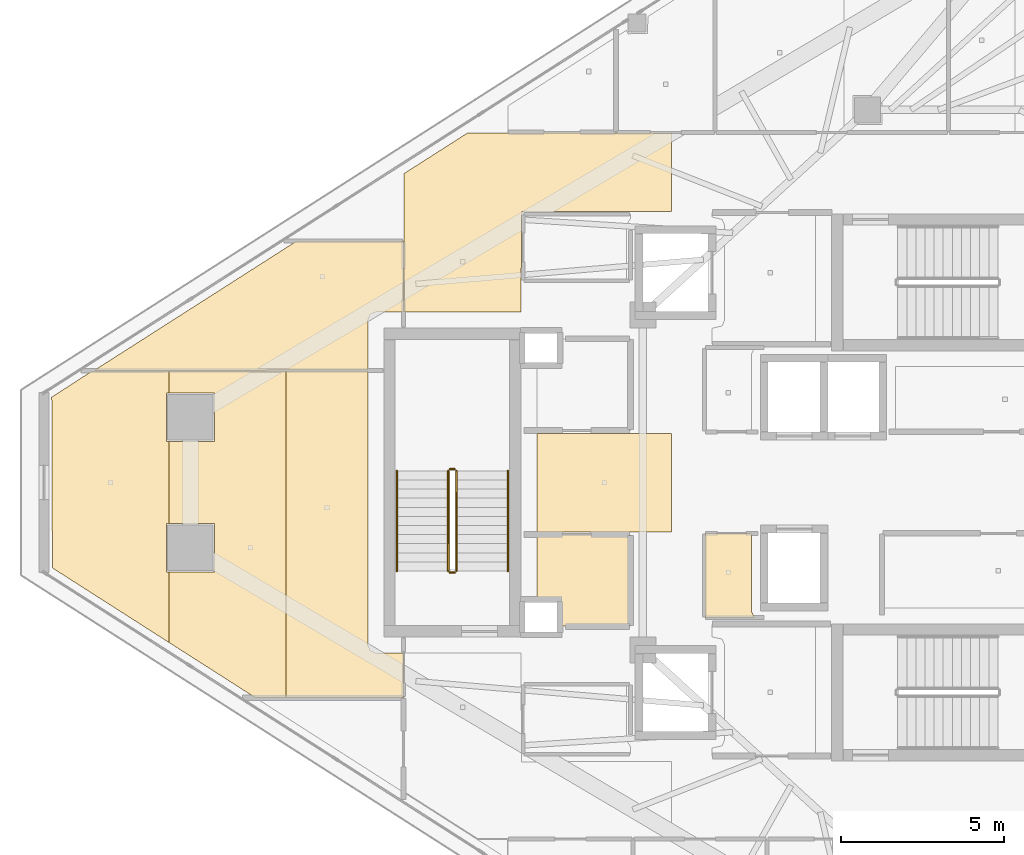
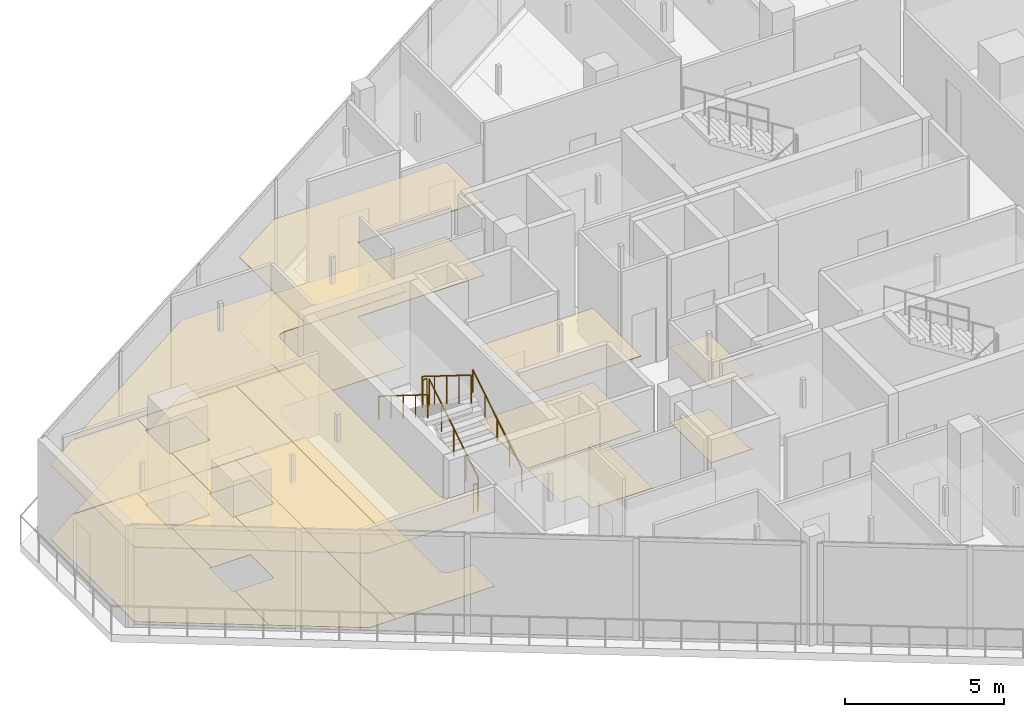
# One storey, part 22 of 25: 15 coverings, 6 railings.
"""IFC4 building model written with IfcOpenShell, lengths in metres."""

import ifcopenshell
import ifcopenshell.guid

model = None  # the IFC model being written
_history = None  # IfcOwnerHistory: only IFC2X3 demands one
_inside = {}  # id of a spatial element -> (the spatial element, [elements in it])
_under = {}  # id of a project, library or spatial element -> (it, [spatial elements below it])
_declared = {}  # id of a project -> (the project, [libraries it declares])
_typed = {}  # id of a type object -> (the type object, [elements of that type])
_made_of = {}  # id of a material, layer set ... -> (it, [elements and type objects made of it])


def new_model(schema):
    """Start an empty IFC model of exactly this schema.

    Asked for "IFC4X3", IfcOpenShell would pick the latest addendum, in which some entities
    have other attributes; the version numbers below select the first issue.
    IFC2X3 requires an IfcOwnerHistory on every rooted entity: one is made here for all.
    """
    global model, _history
    if schema == "IFC4X3":
        model = ifcopenshell.file(schema_version=(4, 3, 0, 0))
    else:
        model = ifcopenshell.file(schema=schema)
    _inside.clear()
    _under.clear()
    _declared.clear()
    _typed.clear()
    _made_of.clear()
    _history = None
    if model.schema == "IFC2X3":
        org = make("IfcOrganization", Name="unknown")
        user = make(
            "IfcPersonAndOrganization",
            ThePerson=make("IfcPerson", FamilyName="unknown"),
            TheOrganization=org,
        )
        app = make(
            "IfcApplication",
            ApplicationDeveloper=org,
            Version="unknown",
            ApplicationFullName="unknown",
            ApplicationIdentifier="unknown",
        )
        _history = make(
            "IfcOwnerHistory",
            OwningUser=user,
            OwningApplication=app,
            ChangeAction="ADDED",
            CreationDate=0,
        )
    return model


def make(cls, **values):
    """One entity of the class cls with the attributes given. An attribute that is None is left unset."""
    return model.create_entity(
        cls, **{name: value for name, value in values.items() if value is not None}
    )


def rooted(cls, **values):
    """An entity with a GlobalId (a new one), such as an element, a storey or a relation."""
    return make(cls, GlobalId=ifcopenshell.guid.new(), OwnerHistory=_history, **values)


def si_unit(unit_type, name, prefix=None):
    """IfcSIUnit, for example si_unit("LENGTHUNIT", "METRE", prefix="MILLI")."""
    return make("IfcSIUnit", UnitType=unit_type, Prefix=prefix, Name=name)


def assignment(units):
    """IfcUnitAssignment: the units of a project."""
    return None if units is None else make("IfcUnitAssignment", Units=units)


def point(xyz):
    """IfcCartesianPoint."""
    return None if xyz is None else make("IfcCartesianPoint", Coordinates=xyz)


def direction(xyz):
    """IfcDirection."""
    return None if xyz is None else make("IfcDirection", DirectionRatios=xyz)


def frame(location, z_axis=None, x_axis=None):
    """IfcAxis2Placement3D, a coordinate frame: its origin and axes. An axis left out is left unset."""
    return make(
        "IfcAxis2Placement3D",
        Location=point(location),
        Axis=direction(z_axis),
        RefDirection=direction(x_axis),
    )


def frame_2d(location, x_axis=None):
    """IfcAxis2Placement2D, a coordinate frame in the plane: its origin and x axis."""
    return make(
        "IfcAxis2Placement2D", Location=point(location), RefDirection=direction(x_axis)
    )


def origin():
    """The frame at (0, 0, 0) with its axes left unset."""
    return frame((0.0, 0.0, 0.0))


def origin_2d():
    """The frame at (0, 0) in the plane with its x axis left unset."""
    return frame_2d((0.0, 0.0))


def place(relative_to, where):
    """IfcLocalPlacement: puts the frame where relative to a parent placement (None: the world)."""
    return make(
        "IfcLocalPlacement", PlacementRelTo=relative_to, RelativePlacement=where
    )


def context(
    kind, dimensions, precision=None, world=None, true_north=None, identifier=None
):
    """IfcGeometricRepresentationContext, for example the 3D "Model" context."""
    return make(
        "IfcGeometricRepresentationContext",
        ContextIdentifier=identifier,
        ContextType=kind,
        CoordinateSpaceDimension=dimensions,
        Precision=precision,
        WorldCoordinateSystem=world,
        TrueNorth=true_north,
    )


def subcontext(parent, identifier, kind, view, scale=None):
    """IfcGeometricRepresentationSubContext, for example "Body" below "Model"."""
    return make(
        "IfcGeometricRepresentationSubContext",
        ContextIdentifier=identifier,
        ContextType=kind,
        ParentContext=parent,
        TargetScale=scale,
        TargetView=view,
    )


def project(units=None, contexts=None):
    """IfcProject with its units and contexts."""
    return rooted(
        "IfcProject",
        Name="project",
        RepresentationContexts=contexts,
        UnitsInContext=assignment(units),
    )


def spatial(cls, under=None, at=None, **own):
    """A site, building, storey or space (cls), placed at a placement, below another one or the project."""
    s = rooted(cls, ObjectPlacement=at, **own)
    if under is not None:
        _under.setdefault(under.id(), (under, []))[1].append(s)
    return s


def polyline(points):
    """IfcPolyline through the points."""
    return make("IfcPolyline", Points=[point(p) for p in points])


def profile(cls, at=None, kind="AREA", **sizes):
    """A parametric profile (cls). Its sizes go by their IFC names, for example OverallWidth=200.0."""
    return make(cls, ProfileType=kind, Position=at, **sizes)


def circle(**sizes):
    """IfcCircleProfileDef."""
    return profile("IfcCircleProfileDef", **sizes)


def outline(outer, holes=None, kind="AREA"):
    """IfcArbitraryClosedProfileDef: a profile drawn as a closed curve; with holes, ...WithVoids."""
    if holes is None:
        return make("IfcArbitraryClosedProfileDef", ProfileType=kind, OuterCurve=outer)
    return make(
        "IfcArbitraryProfileDefWithVoids",
        ProfileType=kind,
        OuterCurve=outer,
        InnerCurves=holes,
    )


def extrude(swept, where, along, depth):
    """IfcExtrudedAreaSolid: the profile swept, set in the frame where, extruded along a direction by depth."""
    return make(
        "IfcExtrudedAreaSolid",
        SweptArea=swept,
        Position=where,
        ExtrudedDirection=direction(along),
        Depth=depth,
    )


def shape(context_of_items, identifier, shape_type, items):
    """IfcShapeRepresentation: the items that make up one representation, for example the "Body"."""
    return make(
        "IfcShapeRepresentation",
        ContextOfItems=context_of_items,
        RepresentationIdentifier=identifier,
        RepresentationType=shape_type,
        Items=items,
    )


def material(Name=None, Category=None):
    """IfcMaterial."""
    return make("IfcMaterial", Name=Name, Category=Category)


def layer(
    of_material, thickness, ventilated=None, Name=None, Category=None, Priority=None
):
    """IfcMaterialLayer: one layer of a wall or slab, of a material (None: an air gap)."""
    return make(
        "IfcMaterialLayer",
        Material=of_material,
        LayerThickness=thickness,
        IsVentilated=ventilated,
        Name=Name,
        Category=Category,
        Priority=Priority,
    )


def layer_set(layers, Name=None):
    """IfcMaterialLayerSet."""
    return make("IfcMaterialLayerSet", MaterialLayers=layers, LayerSetName=Name)


def made_of(thing, what):
    """Note that an element or type object is made of a material, layer set ...; save() writes the relation."""
    if what is not None:
        _made_of.setdefault(what.id(), (what, []))[1].append(thing)
    return thing


def type_object(cls, material=None, **own):
    """A type object (cls), such as IfcWallType, which elements share."""
    return made_of(rooted(cls, **own), material)


def element(
    cls,
    number,
    at=None,
    inside=None,
    cuts=None,
    type_object=None,
    material=None,
    context=None,
    identifier="Body",
    shape_type=None,
    held_by="IfcProductDefinitionShape",
    body=None,
    shapes=None,
    **own,
):
    """One element of the class cls, such as IfcWall. Its Tag is "e" and its number.

    at: its placement. inside: the storey or other place that contains it. cuts: it is an
    opening in that element (IfcRelVoidsElement). A single representation is given by context,
    identifier, shape_type and body (its items); several are given by shapes. held_by: the class
    of the entity that holds the representations. save() writes the other relations.
    """
    e = rooted(cls, Tag="e%d" % number, ObjectPlacement=at, **own)
    if body is not None:
        shapes = [shape(context, identifier, shape_type, body)]
    if shapes is not None:
        e.Representation = make(held_by, Representations=shapes)
    if inside is not None:
        _inside.setdefault(inside.id(), (inside, []))[1].append(e)
    if cuts is not None:
        rooted(
            "IfcRelVoidsElement", RelatingBuildingElement=cuts, RelatedOpeningElement=e
        )
    if type_object is not None:
        _typed.setdefault(type_object.id(), (type_object, []))[1].append(e)
    return made_of(e, material)


def aggregate(whole, parts):
    """IfcRelAggregates: a whole, such as a stair, and the parts it consists of."""
    return rooted("IfcRelAggregates", RelatingObject=whole, RelatedObjects=parts)


def save(model, path):
    """Write the relations noted so far, then the file.

    IfcRelAggregates (storeys below a building ...), IfcRelContainedInSpatialStructure (elements
    in a storey), IfcRelDefinesByType, IfcRelAssociatesMaterial and IfcRelDeclares: one each for
    every whole, place, type object, material and project.
    """
    for whole, parts in _under.values():
        aggregate(whole, parts)
    for where, things in _inside.values():
        rooted(
            "IfcRelContainedInSpatialStructure",
            RelatedElements=things,
            RelatingStructure=where,
        )
    for kind, things in _typed.values():
        rooted("IfcRelDefinesByType", RelatedObjects=things, RelatingType=kind)
    for what, things in _made_of.values():
        rooted("IfcRelAssociatesMaterial", RelatedObjects=things, RelatingMaterial=what)
    for by, libraries in _declared.values():
        rooted("IfcRelDeclares", RelatingContext=by, RelatedDefinitions=libraries)
    model.write(path)


model = new_model("IFC4")

# Units and contexts
model_context = context("Model", 3, precision=1e-05, world=origin(), true_north=direction((0.0, 1.0)))
body_context = subcontext(model_context, "Body", "Model", "MODEL_VIEW")
ifc_project = project(units=[si_unit("LENGTHUNIT", "METRE"), si_unit("AREAUNIT", "SQUARE_METRE"), si_unit("VOLUMEUNIT", "CUBIC_METRE"), si_unit("PLANEANGLEUNIT", "RADIAN"), si_unit("MASSUNIT", "GRAM", prefix="KILO")], contexts=[model_context])

# Site, building, storey
site_placement = place(None, origin())
site = spatial("IfcSite", under=ifc_project, at=site_placement, CompositionType="ELEMENT")
building_placement = place(site_placement, origin())
building = spatial("IfcBuilding", under=site, at=building_placement, Name="Qorvath Tower", CompositionType="ELEMENT")
storey_placement = place(building_placement, frame((0.0, 0.0, 306.0)))
storey = spatial("IfcBuildingStorey", under=building, at=storey_placement, Name="L71", CompositionType="ELEMENT", Elevation=306.0)

# Coverings
ifc_material_1 = material(Name="Acoustic mineral fibre ceiling tile", Category="gypsum")
ifc_layer_1 = layer(ifc_material_1, 0.030029296875)
ifc_layer_set_1 = layer_set([ifc_layer_1], Name="COV-CEIL")
covering_type_1 = type_object("IfcCoveringType", Name="COV-CEIL", PredefinedType="CEILING", material=ifc_layer_set_1)
covering_1_placement = place(storey_placement, frame((0.0, 0.0, 2.85009765625)))
element("IfcCovering", 1, at=covering_1_placement, inside=storey, type_object=covering_type_1, Name="L71 Suspended Acoustic Ceiling 006", PredefinedType="CEILING", context=body_context, shape_type="SweptSolid", body=[
    extrude(outline(polyline([(-27.06689453125, -4.14501953125), (-27.159912109375, -3.9599609375), (-27.159912109375, -1.56494140625), (-28.594970703125, -1.56494140625), (-28.594970703125, -4.14501953125), (-27.06689453125, -4.14501953125)])), origin(), (0.0, 0.0, 1.0), 0.030029296875),
])
covering_2_placement = place(storey_placement, frame((0.0, 0.0, 2.85009765625)))
element("IfcCovering", 2, at=covering_2_placement, inside=storey, type_object=covering_type_1, Name="L71 Suspended Acoustic Ceiling 012", PredefinedType="CEILING", context=body_context, shape_type="SweptSolid", body=[
    extrude(outline(polyline([(-29.614990234375, 8.324951171875), (-29.614990234375, 10.7451171875), (-35.88330078125, 10.7451171875), (-37.844970703125, 9.4912109375), (-37.844970703125, 5.239990234375), (-34.2509765625, 5.239990234375), (-34.219970703125, 8.324951171875), (-29.614990234375, 8.324951171875)])), origin(), (0.0, 0.0, 1.0), 0.030029296875),
])
covering_3_placement = place(storey_placement, frame((0.0, 0.0, 2.85009765625)))
element("IfcCovering", 3, at=covering_3_placement, inside=storey, type_object=covering_type_1, Name="L71 Suspended Acoustic Ceiling 013", PredefinedType="CEILING", context=body_context, shape_type="SweptSolid", body=[
    extrude(outline(polyline([(-29.614990234375, -1.514892578125), (-29.614990234375, 1.514892578125), (-33.760009765625, 1.514892578125), (-33.760009765625, -1.514892578125), (-29.614990234375, -1.514892578125)])), origin(), (0.0, 0.0, 1.0), 0.030029296875),
])
covering_4_placement = place(storey_placement, frame((0.0, 0.0, 2.85009765625)))
element("IfcCovering", 4, at=covering_4_placement, inside=storey, type_object=covering_type_1, Name="L71 Suspended Acoustic Ceiling 037", PredefinedType="CEILING", context=body_context, shape_type="SweptSolid", body=[
    extrude(outline(polyline([(-47.41943359375, 3.43115234375), (-48.6650390625, 2.624267578125), (-48.64501953125, -2.6240234375), (-45.064208984375, -4.91259765625), (-45.064208984375, -2.75), (-45.14501953125, -2.75), (-45.14501953125, -1.26513671875), (-45.064208984375, -1.26513671875), (-45.064208984375, 1.26513671875), (-45.14501953125, 1.26513671875), (-45.14501953125, 2.75), (-45.064208984375, 2.75), (-45.064208984375, 3.431884765625), (-47.41943359375, 3.43115234375)])), origin(), (0.0, 0.0, 1.0), 0.030029296875),
])
covering_5_placement = place(storey_placement, frame((0.0, 0.0, 2.85009765625)))
element("IfcCovering", 5, at=covering_5_placement, inside=storey, type_object=covering_type_1, Name="L71 Suspended Acoustic Ceiling 038", PredefinedType="CEILING", context=body_context, shape_type="SweptSolid", body=[
    extrude(outline(polyline([(-45.064208984375, 3.431884765625), (-45.064208984375, 2.75), (-43.66015625, 2.75), (-43.66015625, 1.26513671875), (-45.064208984375, 1.26513671875), (-45.064208984375, -1.26513671875), (-43.66015625, -1.26513671875), (-43.66015625, -2.75), (-45.064208984375, -2.75), (-45.064208984375, -4.91259765625), (-42.426025390625, -6.598876953125), (-41.463623046875, -6.598876953125), (-41.463623046875, 3.433349609375), (-45.064208984375, 3.431884765625)])), origin(), (0.0, 0.0, 1.0), 0.030029296875),
])
covering_6_placement = place(storey_placement, frame((0.0, 0.0, 2.85009765625)))
element("IfcCovering", 6, at=covering_6_placement, inside=storey, type_object=covering_type_1, Name="L71 Suspended Acoustic Ceiling 039", PredefinedType="CEILING", context=body_context, shape_type="SweptSolid", body=[
    extrude(outline(polyline([(-41.463623046875, 3.433349609375), (-41.463623046875, -6.598876953125), (-37.863037109375, -6.598876953125), (-37.863037109375, -5.239990234375), (-38.699951171875, -5.239990234375), (-38.876708984375, -5.166748046875), (-38.949951171875, -4.989990234375), (-38.949951171875, 3.43408203125), (-41.463623046875, 3.433349609375)])), origin(), (0.0, 0.0, 1.0), 0.030029296875),
])
covering_7_placement = place(storey_placement, frame((0.0, 0.0, 2.85009765625)))
element("IfcCovering", 7, at=covering_7_placement, inside=storey, type_object=covering_type_1, Name="L71 Suspended Acoustic Ceiling 040", PredefinedType="CEILING", context=body_context, shape_type="SweptSolid", body=[
    extrude(outline(polyline([(-38.949951171875, 3.4521484375), (-38.949951171875, 4.989990234375), (-38.876708984375, 5.166748046875), (-38.699951171875, 5.239990234375), (-37.863037109375, 5.239990234375), (-37.863037109375, 7.41650390625), (-41.146728515625, 7.41650390625), (-47.354248046875, 3.44921875), (-38.949951171875, 3.4521484375)])), origin(), (0.0, 0.0, 1.0), 0.030029296875),
])
ifc_material_2 = material(Name="Low-VOC modular carpet tile", Category="textile")
ifc_layer_2 = layer(ifc_material_2, 0.014892578125)
ifc_layer_set_2 = layer_set([ifc_layer_2], Name="COV-FLOOR-CPT")
covering_type_2 = type_object("IfcCoveringType", Name="COV-FLOOR-CPT", PredefinedType="FLOORING", material=ifc_layer_set_2)
covering_8_placement = place(storey_placement, origin())
element("IfcCovering", 8, at=covering_8_placement, inside=storey, type_object=covering_type_2, Name="L71 Floor Finish 006", PredefinedType="FLOORING", context=body_context, shape_type="SweptSolid", body=[
    extrude(outline(polyline([(-27.06689453125, -4.14501953125), (-27.159912109375, -3.9599609375), (-27.159912109375, -1.56494140625), (-28.594970703125, -1.56494140625), (-28.594970703125, -4.14501953125), (-27.06689453125, -4.14501953125)])), origin(), (0.0, 0.0, 1.0), 0.014892578125),
])
covering_9_placement = place(storey_placement, origin())
element("IfcCovering", 9, at=covering_9_placement, inside=storey, type_object=covering_type_2, Name="L71 Floor Finish 010", PredefinedType="FLOORING", context=body_context, shape_type="SweptSolid", body=[
    extrude(outline(polyline([(-30.885009765625, -4.4150390625), (-30.885009765625, -1.60498046875), (-33.760009765625, -1.60498046875), (-33.760009765625, -3.636962890625), (-33.08837890625, -3.638427734375), (-33.0869140625, -4.4150390625), (-30.885009765625, -4.4150390625)])), origin(), (0.0, 0.0, 1.0), 0.014892578125),
])
covering_10_placement = place(storey_placement, origin())
element("IfcCovering", 10, at=covering_10_placement, inside=storey, type_object=covering_type_2, Name="L71 Floor Finish 037", PredefinedType="FLOORING", context=body_context, shape_type="SweptSolid", body=[
    extrude(outline(polyline([(-47.41943359375, 3.43115234375), (-48.6650390625, 2.624267578125), (-48.64501953125, -2.6240234375), (-45.064208984375, -4.91259765625), (-45.064208984375, -2.75), (-45.14501953125, -2.75), (-45.14501953125, -1.26513671875), (-45.064208984375, -1.26513671875), (-45.064208984375, 1.26513671875), (-45.14501953125, 1.26513671875), (-45.14501953125, 2.75), (-45.064208984375, 2.75), (-45.064208984375, 3.431884765625), (-47.41943359375, 3.43115234375)])), origin(), (0.0, 0.0, 1.0), 0.014892578125),
])
covering_11_placement = place(storey_placement, origin())
element("IfcCovering", 11, at=covering_11_placement, inside=storey, type_object=covering_type_2, Name="L71 Floor Finish 038", PredefinedType="FLOORING", context=body_context, shape_type="SweptSolid", body=[
    extrude(outline(polyline([(-45.064208984375, 3.431884765625), (-45.064208984375, 2.75), (-43.66015625, 2.75), (-43.66015625, 1.26513671875), (-45.064208984375, 1.26513671875), (-45.064208984375, -1.26513671875), (-43.66015625, -1.26513671875), (-43.66015625, -2.75), (-45.064208984375, -2.75), (-45.064208984375, -4.91259765625), (-42.426025390625, -6.598876953125), (-41.463623046875, -6.598876953125), (-41.463623046875, 3.433349609375), (-45.064208984375, 3.431884765625)])), origin(), (0.0, 0.0, 1.0), 0.014892578125),
])
covering_12_placement = place(storey_placement, origin())
element("IfcCovering", 12, at=covering_12_placement, inside=storey, type_object=covering_type_2, Name="L71 Floor Finish 039", PredefinedType="FLOORING", context=body_context, shape_type="SweptSolid", body=[
    extrude(outline(polyline([(-41.463623046875, 3.433349609375), (-41.463623046875, -6.598876953125), (-37.863037109375, -6.598876953125), (-37.863037109375, -5.239990234375), (-38.699951171875, -5.239990234375), (-38.876708984375, -5.166748046875), (-38.949951171875, -4.989990234375), (-38.949951171875, 3.43408203125), (-41.463623046875, 3.433349609375)])), origin(), (0.0, 0.0, 1.0), 0.014892578125),
])
covering_13_placement = place(storey_placement, origin())
element("IfcCovering", 13, at=covering_13_placement, inside=storey, type_object=covering_type_2, Name="L71 Floor Finish 040", PredefinedType="FLOORING", context=body_context, shape_type="SweptSolid", body=[
    extrude(outline(polyline([(-38.949951171875, 3.4521484375), (-38.949951171875, 4.989990234375), (-38.876708984375, 5.166748046875), (-38.699951171875, 5.239990234375), (-37.863037109375, 5.239990234375), (-37.863037109375, 7.41650390625), (-41.146728515625, 7.41650390625), (-47.354248046875, 3.44921875), (-38.949951171875, 3.4521484375)])), origin(), (0.0, 0.0, 1.0), 0.014892578125),
])
ifc_material_3 = material(Name="Polished epoxy terrazzo flooring", Category="concrete")
ifc_layer_3 = layer(ifc_material_3, 0.02001953125)
ifc_layer_set_3 = layer_set([ifc_layer_3], Name="COV-FLOOR-TRZ")
covering_type_3 = type_object("IfcCoveringType", Name="COV-FLOOR-TRZ", PredefinedType="FLOORING", material=ifc_layer_set_3)
covering_14_placement = place(storey_placement, origin())
element("IfcCovering", 14, at=covering_14_placement, inside=storey, type_object=covering_type_3, Name="L71 Floor Finish 012", PredefinedType="FLOORING", context=body_context, shape_type="SweptSolid", body=[
    extrude(outline(polyline([(-29.614990234375, 8.324951171875), (-29.614990234375, 10.7451171875), (-35.88330078125, 10.7451171875), (-37.844970703125, 9.4912109375), (-37.844970703125, 5.239990234375), (-34.2509765625, 5.239990234375), (-34.219970703125, 8.324951171875), (-29.614990234375, 8.324951171875)])), origin(), (0.0, 0.0, 1.0), 0.014892578125),
])
covering_15_placement = place(storey_placement, origin())
element("IfcCovering", 15, at=covering_15_placement, inside=storey, type_object=covering_type_3, Name="L71 Floor Finish 013", PredefinedType="FLOORING", context=body_context, shape_type="SweptSolid", body=[
    extrude(outline(polyline([(-29.614990234375, -1.514892578125), (-29.614990234375, 1.514892578125), (-33.760009765625, 1.514892578125), (-33.760009765625, -1.514892578125), (-29.614990234375, -1.514892578125)])), origin(), (0.0, 0.0, 1.0), 0.014892578125),
])

# Railings
ifc_material_4 = material(Name="Painted galvanised steel", Category="steel")
railing_type_1 = type_object("IfcRailingType", Name="RL-STR-GRD", PredefinedType="GUARDRAIL", material=ifc_material_4)
railing_1_placement = place(storey_placement, frame((-36.22998046875, -2.719970703125, 0.175048828125)))
element("IfcRailing", 16, at=railing_1_placement, inside=storey, type_object=railing_type_1, Name="L71 TS3 stair guard 1", PredefinedType="GUARDRAIL", context=body_context, shape_type="SweptSolid", body=[
    extrude(circle(Radius=0.02392578125, at=origin_2d()), frame((0.0, 0.0, 1.076171875), z_axis=(0.0, 0.847998304005, 0.529998940003), x_axis=(-1.0, 0.0, 0.0)), (0.0, 0.0, 1.0), 3.632080078125),
    extrude(circle(Radius=0.02099609375, at=origin_2d()), origin(), (0.0, 0.0, 1.0), 1.052001953125),
    extrude(circle(Radius=0.02099609375, at=origin_2d()), frame((0.0, 0.77001953125, 0.481201171875)), (0.0, 0.0, 1.0), 1.052001953125),
    extrude(circle(Radius=0.02099609375, at=origin_2d()), frame((0.0, 1.5400390625, 0.96240234375)), (0.0, 0.0, 1.0), 1.052001953125),
    extrude(circle(Radius=0.02099609375, at=origin_2d()), frame((0.0, 2.31005859375, 1.44384765625)), (0.0, 0.0, 1.0), 1.052001953125),
    extrude(circle(Radius=0.02099609375, at=origin_2d()), frame((0.0, 3.080078125, 1.925048828125)), (0.0, 0.0, 1.0), 1.052001953125),
])
railing_2_placement = place(storey_placement, frame((-36.280029296875, 0.409912109375, 2.10009765625)))
element("IfcRailing", 17, at=railing_2_placement, inside=storey, type_object=railing_type_1, Name="L71 TS3 stair guard 2", PredefinedType="GUARDRAIL", context=body_context, shape_type="SweptSolid", body=[
    extrude(circle(Radius=0.02392578125, at=origin_2d()), frame((0.0, 0.0, 1.076171875), z_axis=(-1.0, 0.0, 0.0), x_axis=(0.0, -1.0, 0.0)), (0.0, 0.0, 1.0), 0.14990234375),
    extrude(circle(Radius=0.02099609375, at=origin_2d()), origin(), (0.0, 0.0, 1.0), 1.052001953125),
    extrude(circle(Radius=0.02099609375, at=origin_2d()), frame((-0.14990234375, 0.0, 0.0)), (0.0, 0.0, 1.0), 1.052001953125),
])
railing_3_placement = place(storey_placement, frame((-36.47998046875, 0.360107421875, 2.27490234375)))
element("IfcRailing", 18, at=railing_3_placement, inside=storey, type_object=railing_type_1, Name="L71 TS3 stair guard 3", PredefinedType="GUARDRAIL", context=body_context, shape_type="SweptSolid", body=[
    extrude(circle(Radius=0.02392578125, at=origin_2d()), frame((0.0, 0.0, 1.076171875), z_axis=(0.0, -0.847998304005, 0.529998940003), x_axis=(1.0, 0.0, 0.0)), (0.0, 0.0, 1.0), 3.632080078125),
    extrude(circle(Radius=0.02099609375, at=origin_2d()), origin(), (0.0, 0.0, 1.0), 1.052001953125),
    extrude(circle(Radius=0.02099609375, at=origin_2d()), frame((0.0, -0.77001953125, 0.481201171875)), (0.0, 0.0, 1.0), 1.052001953125),
    extrude(circle(Radius=0.02099609375, at=origin_2d()), frame((0.0, -1.5400390625, 0.96240234375)), (0.0, 0.0, 1.0), 1.052001953125),
    extrude(circle(Radius=0.02099609375, at=origin_2d()), frame((0.0, -2.31005859375, 1.44384765625)), (0.0, 0.0, 1.0), 1.052001953125),
    extrude(circle(Radius=0.02099609375, at=origin_2d()), frame((0.0, -3.080078125, 1.925048828125)), (0.0, 0.0, 1.0), 1.052001953125),
])
railing_4_placement = place(storey_placement, frame((-36.280029296875, -2.77001953125, 0.0)))
element("IfcRailing", 19, at=railing_4_placement, inside=storey, type_object=railing_type_1, Name="L71 TS3 stair guard 4", PredefinedType="GUARDRAIL", context=body_context, shape_type="SweptSolid", body=[
    extrude(circle(Radius=0.02392578125, at=origin_2d()), frame((0.0, 0.0, 1.076171875), z_axis=(-1.0, 0.0, 0.0), x_axis=(0.0, -1.0, 0.0)), (0.0, 0.0, 1.0), 0.14990234375),
    extrude(circle(Radius=0.02099609375, at=origin_2d()), origin(), (0.0, 0.0, 1.0), 1.052001953125),
    extrude(circle(Radius=0.02099609375, at=origin_2d()), frame((-0.14990234375, 0.0, 0.0)), (0.0, 0.0, 1.0), 1.052001953125),
])
ifc_material_5 = material(Name="Brushed stainless steel AISI 304", Category="steel")
railing_type_2 = type_object("IfcRailingType", Name="RL-STR-HND", PredefinedType="HANDRAIL", material=ifc_material_5)
railing_5_placement = place(storey_placement, frame((-34.64990234375, -2.719970703125, 0.175048828125)))
element("IfcRailing", 20, at=railing_5_placement, inside=storey, type_object=railing_type_2, Name="L71 TS3 stair handrail 1", PredefinedType="HANDRAIL", context=body_context, shape_type="SweptSolid", body=[
    extrude(circle(Radius=0.02392578125, at=origin_2d()), frame((0.0, 0.0, 0.8759765625), z_axis=(0.0, 0.847998304005, 0.529998940003), x_axis=(-1.0, 0.0, 0.0)), (0.0, 0.0, 1.0), 3.632080078125),
    extrude(circle(Radius=0.02099609375, at=origin_2d()), origin(), (0.0, 0.0, 1.0), 0.851806640625),
    extrude(circle(Radius=0.02099609375, at=origin_2d()), frame((0.0, 0.77001953125, 0.481201171875)), (0.0, 0.0, 1.0), 0.851806640625),
    extrude(circle(Radius=0.02099609375, at=origin_2d()), frame((0.0, 1.5400390625, 0.96240234375)), (0.0, 0.0, 1.0), 0.851806640625),
    extrude(circle(Radius=0.02099609375, at=origin_2d()), frame((0.0, 2.31005859375, 1.44384765625)), (0.0, 0.0, 1.0), 0.851806640625),
    extrude(circle(Radius=0.02099609375, at=origin_2d()), frame((0.0, 3.080078125, 1.925048828125)), (0.0, 0.0, 1.0), 0.851806640625),
])
railing_6_placement = place(storey_placement, frame((-38.06005859375, 0.360107421875, 2.27490234375)))
element("IfcRailing", 21, at=railing_6_placement, inside=storey, type_object=railing_type_2, Name="L71 TS3 stair handrail 2", PredefinedType="HANDRAIL", context=body_context, shape_type="SweptSolid", body=[
    extrude(circle(Radius=0.02392578125, at=origin_2d()), frame((0.0, 0.0, 0.8759765625), z_axis=(0.0, -0.847998304005, 0.529998940003), x_axis=(1.0, 0.0, 0.0)), (0.0, 0.0, 1.0), 3.632080078125),
    extrude(circle(Radius=0.02099609375, at=origin_2d()), origin(), (0.0, 0.0, 1.0), 0.851806640625),
    extrude(circle(Radius=0.02099609375, at=origin_2d()), frame((0.0, -0.77001953125, 0.481201171875)), (0.0, 0.0, 1.0), 0.851806640625),
    extrude(circle(Radius=0.02099609375, at=origin_2d()), frame((0.0, -1.5400390625, 0.96240234375)), (0.0, 0.0, 1.0), 0.851806640625),
    extrude(circle(Radius=0.02099609375, at=origin_2d()), frame((0.0, -2.31005859375, 1.44384765625)), (0.0, 0.0, 1.0), 0.851806640625),
    extrude(circle(Radius=0.02099609375, at=origin_2d()), frame((0.0, -3.080078125, 1.925048828125)), (0.0, 0.0, 1.0), 0.851806640625),
])

save(model, "model.ifc")
